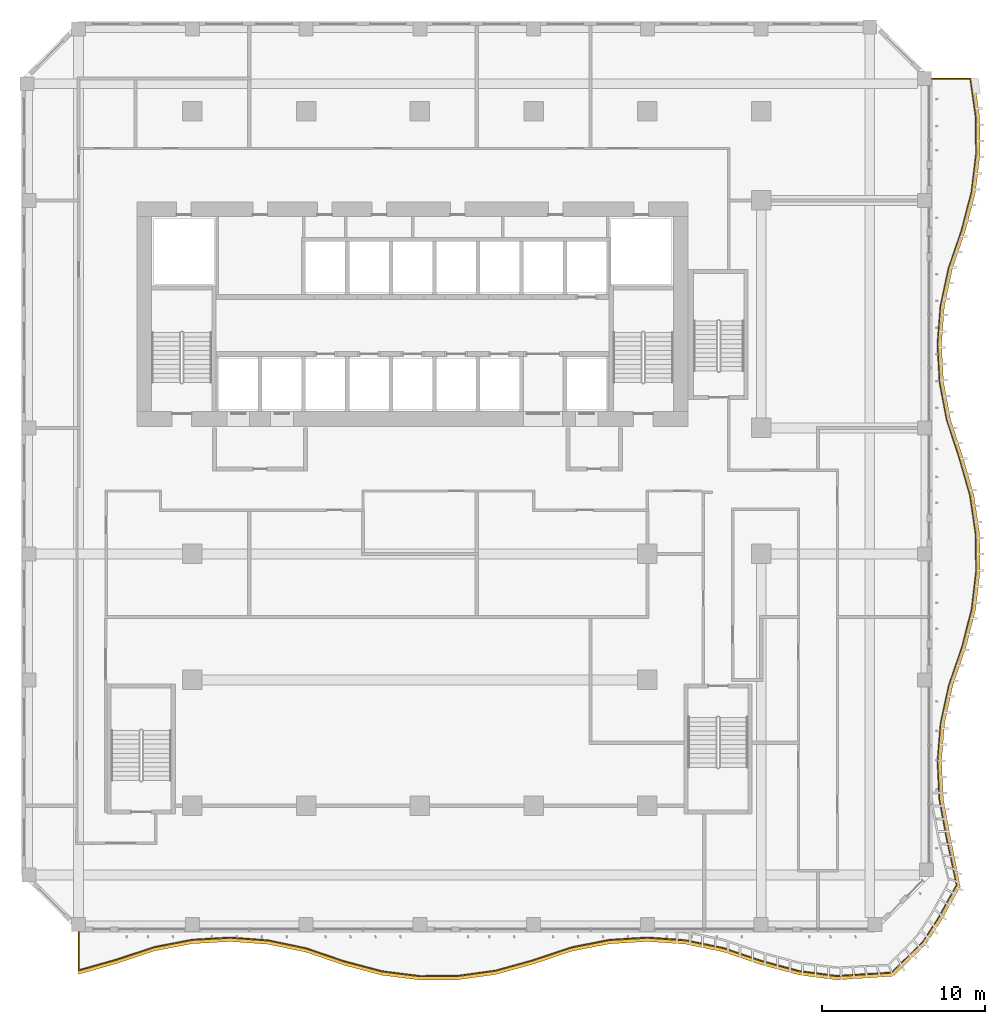
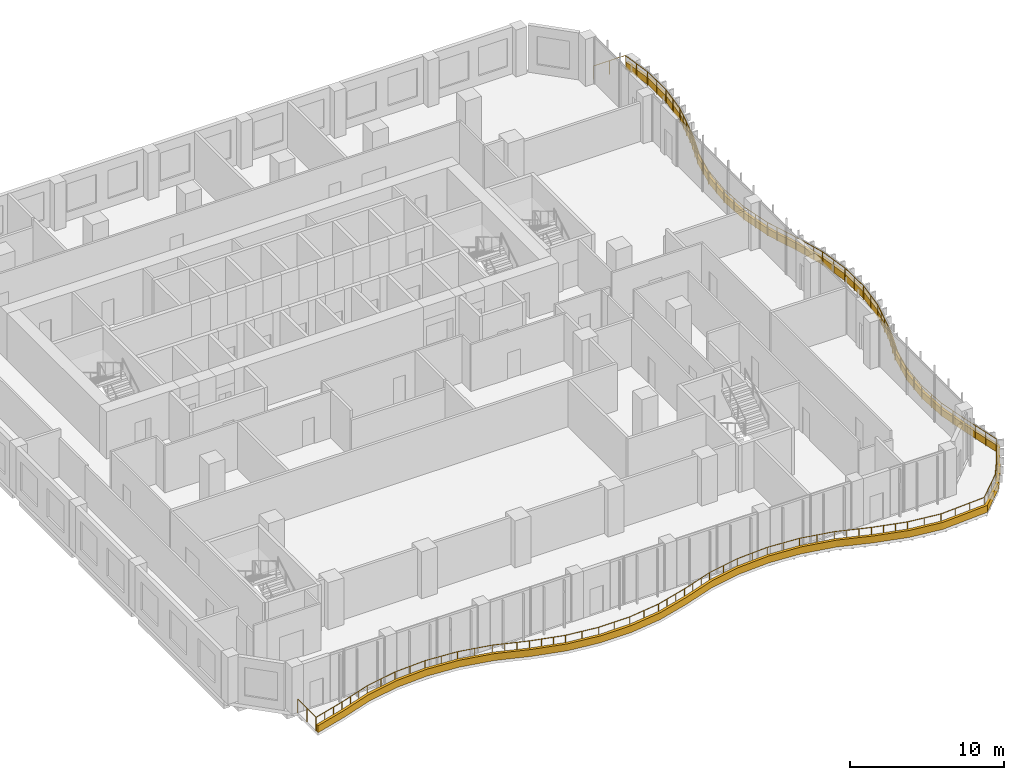
# One storey, part 21 of 27: 1 railing, 1 shading device.
"""IFC4 building model written with IfcOpenShell, lengths in metres."""

from ifc_helpers import new_model, si_unit, direction, frame, origin, origin_2d, place, context, subcontext, project, spatial, polyline, circle, outline, extrude, source, transform, mapped, material, layer, layer_set, type_object, element, save


model = new_model("IFC4")

# Units and contexts
model_context = context("Model", 3, precision=1e-05, world=origin(), true_north=direction((0.0, 1.0)))
body_context = subcontext(model_context, "Body", "Model", "MODEL_VIEW")
ifc_project = project(units=[si_unit("LENGTHUNIT", "METRE"), si_unit("AREAUNIT", "SQUARE_METRE"), si_unit("VOLUMEUNIT", "CUBIC_METRE"), si_unit("PLANEANGLEUNIT", "RADIAN"), si_unit("MASSUNIT", "GRAM", prefix="KILO")], contexts=[model_context])

# Site, building, storey
site_placement = place(None, origin())
site = spatial("IfcSite", under=ifc_project, at=site_placement, CompositionType="ELEMENT")
building_placement = place(site_placement, origin())
building = spatial("IfcBuilding", under=site, at=building_placement, Name="Kilnfold Tower and Market Hall", CompositionType="ELEMENT")
storey_placement = place(building_placement, frame((0.0, 0.0, 116.60009765625)))
storey = spatial("IfcBuildingStorey", under=building, at=storey_placement, Name="L27", CompositionType="ELEMENT", Elevation=116.60009765625)

# Railing
ifc_material_1 = material(Name="Stainless steel and laminated glass", Category="steel")
railing_type = type_object("IfcRailingType", Name="GUARD 1100", PredefinedType="GUARDRAIL", material=ifc_material_1)
railing_placement = place(storey_placement, frame((-19.5, -23.0, 0.0)))
element("IfcRailing", 1, at=railing_placement, inside=storey, type_object=railing_type, Name="Guard balcony L27", PredefinedType="GUARDRAIL", context=body_context, shape_type="SweptSolid", body=[
    extrude(circle(Radius=0.02490234375, at=origin_2d()), frame((0.0, 0.0, 1.0751953125), z_axis=(0.0, -1.0, 0.0), x_axis=(1.0, 0.0, 0.0)), (0.0, 0.0, 1.0), 2.3671875),
    extrude(circle(Radius=0.02490234375, at=origin_2d()), frame((0.0, -2.3671875, 1.0751953125), z_axis=(0.962306538751, 0.271967140438, 0.0), x_axis=(-0.271967140438, 0.962306538751, 0.0)), (0.0, 0.0, 1.0), 2.424560546875),
    extrude(circle(Radius=0.02490234375, at=origin_2d()), frame((2.333251953125, -1.707763671875, 1.0751953125), z_axis=(0.94906984056, 0.315065767325, 0.0), x_axis=(-0.315065767325, 0.94906984056, 0.0)), (0.0, 0.0, 1.0), 2.458740234375),
    extrude(circle(Radius=0.02490234375, at=origin_2d()), frame((4.666748046875, -0.93310546875, 1.0751953125), z_axis=(0.982061375955, 0.18856153865, 0.0), x_axis=(-0.18856153865, 0.982061375955, 0.0)), (0.0, 0.0, 1.0), 2.3759765625),
    extrude(circle(Radius=0.02490234375, at=origin_2d()), frame((7.0, -0.485107421875, 1.0751953125), z_axis=(0.99834213569, 0.057558492913, 0.0), x_axis=(-0.057558492913, 0.99834213569, 0.0)), (0.0, 0.0, 1.0), 2.337158203125),
    extrude(circle(Radius=0.02490234375, at=origin_2d()), frame((9.333251953125, -0.3505859375, 1.0751953125), z_axis=(0.997298415434, -0.073456589712, 0.0), x_axis=(0.073456589712, 0.997298415434, 0.0)), (0.0, 0.0, 1.0), 2.33984375),
    extrude(circle(Radius=0.02490234375, at=origin_2d()), frame((11.666748046875, -0.5224609375, 1.0751953125), z_axis=(0.978878895957, -0.204440962261, 0.0), x_axis=(0.204440962261, 0.978878895957, 0.0)), (0.0, 0.0, 1.0), 2.383544921875),
    extrude(circle(Radius=0.02490234375, at=origin_2d()), frame((14.0, -1.009765625, 1.0751953125), z_axis=(0.946391210256, -0.323022719248, 0.0), x_axis=(0.323022719248, 0.946391210256, 0.0)), (0.0, 0.0, 1.0), 2.46533203125),
    extrude(circle(Radius=0.02490234375, at=origin_2d()), frame((16.333251953125, -1.80615234375, 1.0751953125), z_axis=(0.966656645612, -0.25607602288, 0.0), x_axis=(0.25607602288, 0.966656645612, 0.0)), (0.0, 0.0, 1.0), 2.4140625),
    extrude(circle(Radius=0.02490234375, at=origin_2d()), frame((18.666748046875, -2.42431640625, 1.0751953125), z_axis=(0.992144748276, -0.125095157651, 0.0), x_axis=(0.125095157651, 0.992144748276, 0.0)), (0.0, 0.0, 1.0), 2.351806640625),
    extrude(circle(Radius=0.02490234375, at=origin_2d()), frame((21.0, -2.718505859375, 1.0751953125), z_axis=(0.999982214546, 0.005964108635, 0.0), x_axis=(-0.005964108635, 0.999982214546, 0.0)), (0.0, 0.0, 1.0), 2.333251953125),
    extrude(circle(Radius=0.02490234375, at=origin_2d()), frame((23.333251953125, -2.70458984375, 1.0751953125), z_axis=(0.990583845196, 0.136907434558, 0.0), x_axis=(-0.136907434558, 0.990583845196, 0.0)), (0.0, 0.0, 1.0), 2.355712890625),
    extrude(circle(Radius=0.02490234375, at=origin_2d()), frame((25.666748046875, -2.382080078125, 1.0751953125), z_axis=(0.963406621709, 0.268044177789, 0.0), x_axis=(-0.268044177789, 0.963406621709, 0.0)), (0.0, 0.0, 1.0), 2.421875),
    extrude(circle(Radius=0.02490234375, at=origin_2d()), frame((28.0, -1.73291015625, 1.0751953125), z_axis=(0.948285654044, 0.317418207313, 0.0), x_axis=(-0.317418207313, 0.948285654044, 0.0)), (0.0, 0.0, 1.0), 2.46044921875),
    extrude(circle(Radius=0.02490234375, at=origin_2d()), frame((30.333251953125, -0.951904296875, 1.0751953125), z_axis=(0.981277242242, 0.192600555184, 0.0), x_axis=(-0.192600555184, 0.981277242242, 0.0)), (0.0, 0.0, 1.0), 2.3779296875),
    extrude(circle(Radius=0.02490234375, at=origin_2d()), frame((32.666748046875, -0.493896484375, 1.0751953125), z_axis=(0.998106251115, 0.06151350653, 0.0), x_axis=(-0.06151350653, 0.998106251115, 0.0)), (0.0, 0.0, 1.0), 2.337646484375),
    extrude(circle(Radius=0.02490234375, at=origin_2d()), frame((35.0, -0.35009765625, 1.0751953125), z_axis=(0.997580659458, -0.069518543392, 0.0), x_axis=(0.069518543392, 0.997580659458, 0.0)), (0.0, 0.0, 1.0), 2.3388671875),
    extrude(circle(Radius=0.02490234375, at=origin_2d()), frame((37.333251953125, -0.5126953125, 1.0751953125), z_axis=(0.979715847017, -0.200391764063, 0.0), x_axis=(0.200391764063, 0.979715847017, 0.0)), (0.0, 0.0, 1.0), 2.3818359375),
    extrude(circle(Radius=0.02490234375, at=origin_2d()), frame((39.666748046875, -0.989990234375, 1.0751953125), z_axis=(0.94693508606, -0.321424863365, 0.0), x_axis=(0.321424863365, 0.94693508606, 0.0)), (0.0, 0.0, 1.0), 2.464111328125),
    extrude(circle(Radius=0.02490234375, at=origin_2d()), frame((42.0, -1.781982421875, 1.0751953125), z_axis=(0.965591366517, -0.260064055395, 0.0), x_axis=(0.260064055395, 0.965591366517, 0.0)), (0.0, 0.0, 1.0), 2.41650390625),
    extrude(circle(Radius=0.02490234375, at=origin_2d()), frame((44.333251953125, -2.410400390625, 1.0751953125), z_axis=(0.991636241788, -0.129064185476, 0.0), x_axis=(0.129064185476, 0.991636241788, 0.0)), (0.0, 0.0, 1.0), 2.353271484375),
    extrude(circle(Radius=0.02490234375, at=origin_2d()), frame((46.666748046875, -2.714111328125, 1.0751953125), z_axis=(0.998046947864, 0.062468310849, 0.0), x_axis=(-0.062468310849, 0.998046947864, 0.0)), (0.0, 0.0, 1.0), 3.376708984375),
    extrude(circle(Radius=0.02490234375, at=origin_2d()), frame((50.036865234375, -2.503173828125, 1.0751953125), z_axis=(0.711725581763, 0.702457611721, 0.0), x_axis=(-0.702457611721, 0.711725581763, 0.0)), (0.0, 0.0, 1.0), 2.68701171875),
    extrude(circle(Radius=0.02490234375, at=origin_2d()), frame((51.94921875, -0.61572265625, 1.0751953125), z_axis=(0.546015999668, 0.837774747833, 0.0), x_axis=(-0.837774747833, 0.546015999668, 0.0)), (0.0, 0.0, 1.0), 1.68603515625),
    extrude(circle(Radius=0.02490234375, at=origin_2d()), frame((52.869873046875, 0.796875, 1.0751953125), z_axis=(0.489186066845, 0.872179449428, 0.0), x_axis=(-0.872179449428, 0.489186066845, 0.0)), (0.0, 0.0, 1.0), 2.37255859375),
    extrude(circle(Radius=0.02490234375, at=origin_2d()), frame((54.030517578125, 2.8662109375, 1.0751953125), z_axis=(-0.208897070291, 0.977937632993, 0.0), x_axis=(-0.977937632993, -0.208897070291, 0.0)), (0.0, 0.0, 1.0), 3.033935546875),
    extrude(circle(Radius=0.02490234375, at=origin_2d()), frame((53.396728515625, 5.833251953125, 1.0751953125), z_axis=(-0.180596668273, 0.983557239518, 0.0), x_axis=(-0.983557239518, -0.180596668273, 0.0)), (0.0, 0.0, 1.0), 2.37255859375),
    extrude(circle(Radius=0.02490234375, at=origin_2d()), frame((52.96826171875, 8.166748046875, 1.0751953125), z_axis=(-0.049640514399, 0.998767149705, 0.0), x_axis=(-0.998767149705, -0.049640514399, 0.0)), (0.0, 0.0, 1.0), 2.336181640625),
    extrude(circle(Radius=0.02490234375, at=origin_2d()), frame((52.852294921875, 10.5, 1.0751953125), z_axis=(0.081345095449, 0.996685996413, 0.0), x_axis=(-0.996685996413, 0.081345095449, 0.0)), (0.0, 0.0, 1.0), 2.341064453125),
    extrude(circle(Radius=0.02490234375, at=origin_2d()), frame((53.042724609375, 12.833251953125, 1.0751953125), z_axis=(0.212348997132, 0.977193892437, 0.0), x_axis=(-0.977193892437, 0.212348997132, 0.0)), (0.0, 0.0, 1.0), 2.387939453125),
    extrude(circle(Radius=0.02490234375, at=origin_2d()), frame((53.5498046875, 15.166748046875, 1.0751953125), z_axis=(0.325679680723, 0.945480166669, 0.0), x_axis=(-0.945480166669, 0.325679680723, 0.0)), (0.0, 0.0, 1.0), 2.4677734375),
    extrude(circle(Radius=0.02490234375, at=origin_2d()), frame((54.353515625, 17.5, 1.0751953125), z_axis=(0.248136348904, 0.968725117024, 0.0), x_axis=(-0.968725117024, 0.248136348904, 0.0)), (0.0, 0.0, 1.0), 2.40869140625),
    extrude(circle(Radius=0.02490234375, at=origin_2d()), frame((54.951171875, 19.833251953125, 1.0751953125), z_axis=(0.117100473128, 0.993120072898, 0.0), x_axis=(-0.993120072898, 0.117100473128, 0.0)), (0.0, 0.0, 1.0), 2.349609375),
    extrude(circle(Radius=0.02490234375, at=origin_2d()), frame((55.226318359375, 22.166748046875, 1.0751953125), z_axis=(-0.013915153592, 0.999903179563, 0.0), x_axis=(-0.999903179563, -0.013915153592, 0.0)), (0.0, 0.0, 1.0), 2.33349609375),
    extrude(circle(Radius=0.02490234375, at=origin_2d()), frame((55.19384765625, 24.5, 1.0751953125), z_axis=(-0.144841207811, 0.989454912828, 0.0), x_axis=(-0.989454912828, -0.144841207811, 0.0)), (0.0, 0.0, 1.0), 2.358154296875),
    extrude(circle(Radius=0.02490234375, at=origin_2d()), frame((54.852294921875, 26.833251953125, 1.0751953125), z_axis=(-0.27594283235, 0.961174049418, 0.0), x_axis=(-0.961174049418, -0.27594283235, 0.0)), (0.0, 0.0, 1.0), 2.427734375),
    extrude(circle(Radius=0.02490234375, at=origin_2d()), frame((54.182373046875, 29.166748046875, 1.0751953125), z_axis=(-0.312498011214, 0.949918413858, 0.0), x_axis=(-0.949918413858, -0.312498011214, 0.0)), (0.0, 0.0, 1.0), 2.456298828125),
    extrude(circle(Radius=0.02490234375, at=origin_2d()), frame((53.414794921875, 31.5, 1.0751953125), z_axis=(-0.184592769099, 0.982815094306, 0.0), x_axis=(-0.982815094306, -0.184592769099, 0.0)), (0.0, 0.0, 1.0), 2.3740234375),
    extrude(circle(Radius=0.02490234375, at=origin_2d()), frame((52.9765625, 33.833251953125, 1.0751953125), z_axis=(-0.053595175618, 0.998562745725, 0.0), x_axis=(-0.998562745725, -0.053595175618, 0.0)), (0.0, 0.0, 1.0), 2.3369140625),
    extrude(circle(Radius=0.02490234375, at=origin_2d()), frame((52.851318359375, 36.166748046875, 1.0751953125), z_axis=(0.077406478613, 0.996999617386, 0.0), x_axis=(-0.996999617386, 0.077406478613, 0.0)), (0.0, 0.0, 1.0), 2.34033203125),
    extrude(circle(Radius=0.02490234375, at=origin_2d()), frame((53.032470703125, 38.5, 1.0751953125), z_axis=(0.20845967069, 0.978030963567, 0.0), x_axis=(-0.978030963567, 0.20845967069, 0.0)), (0.0, 0.0, 1.0), 2.3857421875),
    extrude(circle(Radius=0.02490234375, at=origin_2d()), frame((53.52978515625, 40.833251953125, 1.0751953125), z_axis=(0.324410348891, 0.945916447437, 0.0), x_axis=(-0.945916447437, 0.324410348891, 0.0)), (0.0, 0.0, 1.0), 2.466796875),
    extrude(circle(Radius=0.02490234375, at=origin_2d()), frame((54.330078125, 43.166748046875, 1.0751953125), z_axis=(0.25212510937, 0.967694646686, 0.0), x_axis=(-0.967694646686, 0.25212510937, 0.0)), (0.0, 0.0, 1.0), 2.4111328125),
    extrude(circle(Radius=0.02490234375, at=origin_2d()), frame((54.93798828125, 45.5, 1.0751953125), z_axis=(0.121004451058, 0.9926519646, 0.0), x_axis=(-0.9926519646, 0.121004451058, 0.0)), (0.0, 0.0, 1.0), 2.3505859375),
    extrude(circle(Radius=0.02490234375, at=origin_2d()), frame((55.222412109375, 47.833251953125, 1.0751953125), z_axis=(-0.009834217873, 0.99995164291, 0.0), x_axis=(-0.99995164291, -0.009834217873, 0.0)), (0.0, 0.0, 1.0), 2.33349609375),
    extrude(circle(Radius=0.02490234375, at=origin_2d()), frame((55.199462890625, 50.166748046875, 1.0751953125), z_axis=(-0.140986263734, 0.990011552174, 0.0), x_axis=(-0.990011552174, -0.140986263734, 0.0)), (0.0, 0.0, 1.0), 2.356689453125),
    extrude(circle(Radius=0.02490234375, at=origin_2d()), frame((54.8671875, 52.5, 1.0751953125), z_axis=(-1.0, 0.0, 0.0), x_axis=(0.0, -1.0, 0.0)), (0.0, 0.0, 1.0), 2.3671875),
    extrude(circle(Radius=0.02490234375, at=origin_2d()), origin(), (0.0, 0.0, 1.0), 1.050048828125),
    extrude(circle(Radius=0.02490234375, at=origin_2d()), frame((0.0, -1.18359375, 0.0)), (0.0, 0.0, 1.0), 1.050048828125),
    extrude(circle(Radius=0.02490234375, at=origin_2d()), frame((0.0, -2.3671875, 0.0)), (0.0, 0.0, 1.0), 1.050048828125),
    extrude(circle(Radius=0.02490234375, at=origin_2d()), frame((0.77783203125, -2.1474609375, 0.0)), (0.0, 0.0, 1.0), 1.050048828125),
    extrude(circle(Radius=0.02490234375, at=origin_2d()), frame((1.555419921875, -1.927490234375, 0.0)), (0.0, 0.0, 1.0), 1.050048828125),
    extrude(circle(Radius=0.02490234375, at=origin_2d()), frame((2.333251953125, -1.707763671875, 0.0)), (0.0, 0.0, 1.0), 1.050048828125),
    extrude(circle(Radius=0.02490234375, at=origin_2d()), frame((3.111083984375, -1.449462890625, 0.0)), (0.0, 0.0, 1.0), 1.050048828125),
    extrude(circle(Radius=0.02490234375, at=origin_2d()), frame((3.888916015625, -1.19140625, 0.0)), (0.0, 0.0, 1.0), 1.050048828125),
    extrude(circle(Radius=0.02490234375, at=origin_2d()), frame((4.666748046875, -0.93310546875, 0.0)), (0.0, 0.0, 1.0), 1.050048828125),
    extrude(circle(Radius=0.02490234375, at=origin_2d()), frame((5.83349609375, -0.708984375, 0.0)), (0.0, 0.0, 1.0), 1.050048828125),
    extrude(circle(Radius=0.02490234375, at=origin_2d()), frame((7.0, -0.485107421875, 0.0)), (0.0, 0.0, 1.0), 1.050048828125),
    extrude(circle(Radius=0.02490234375, at=origin_2d()), frame((8.16650390625, -0.41796875, 0.0)), (0.0, 0.0, 1.0), 1.050048828125),
    extrude(circle(Radius=0.02490234375, at=origin_2d()), frame((9.333251953125, -0.3505859375, 0.0)), (0.0, 0.0, 1.0), 1.050048828125),
    extrude(circle(Radius=0.02490234375, at=origin_2d()), frame((10.5, -0.4365234375, 0.0)), (0.0, 0.0, 1.0), 1.050048828125),
    extrude(circle(Radius=0.02490234375, at=origin_2d()), frame((11.666748046875, -0.5224609375, 0.0)), (0.0, 0.0, 1.0), 1.050048828125),
    extrude(circle(Radius=0.02490234375, at=origin_2d()), frame((12.83349609375, -0.76611328125, 0.0)), (0.0, 0.0, 1.0), 1.050048828125),
    extrude(circle(Radius=0.02490234375, at=origin_2d()), frame((14.0, -1.009765625, 0.0)), (0.0, 0.0, 1.0), 1.050048828125),
    extrude(circle(Radius=0.02490234375, at=origin_2d()), frame((14.77783203125, -1.275146484375, 0.0)), (0.0, 0.0, 1.0), 1.050048828125),
    extrude(circle(Radius=0.02490234375, at=origin_2d()), frame((15.555419921875, -1.540771484375, 0.0)), (0.0, 0.0, 1.0), 1.050048828125),
    extrude(circle(Radius=0.02490234375, at=origin_2d()), frame((16.333251953125, -1.80615234375, 0.0)), (0.0, 0.0, 1.0), 1.050048828125),
    extrude(circle(Radius=0.02490234375, at=origin_2d()), frame((17.111083984375, -2.01220703125, 0.0)), (0.0, 0.0, 1.0), 1.050048828125),
    extrude(circle(Radius=0.02490234375, at=origin_2d()), frame((17.888916015625, -2.21826171875, 0.0)), (0.0, 0.0, 1.0), 1.050048828125),
    extrude(circle(Radius=0.02490234375, at=origin_2d()), frame((18.666748046875, -2.42431640625, 0.0)), (0.0, 0.0, 1.0), 1.050048828125),
    extrude(circle(Radius=0.02490234375, at=origin_2d()), frame((19.83349609375, -2.5712890625, 0.0)), (0.0, 0.0, 1.0), 1.050048828125),
    extrude(circle(Radius=0.02490234375, at=origin_2d()), frame((21.0, -2.718505859375, 0.0)), (0.0, 0.0, 1.0), 1.050048828125),
    extrude(circle(Radius=0.02490234375, at=origin_2d()), frame((22.16650390625, -2.71142578125, 0.0)), (0.0, 0.0, 1.0), 1.050048828125),
    extrude(circle(Radius=0.02490234375, at=origin_2d()), frame((23.333251953125, -2.70458984375, 0.0)), (0.0, 0.0, 1.0), 1.050048828125),
    extrude(circle(Radius=0.02490234375, at=origin_2d()), frame((24.5, -2.54345703125, 0.0)), (0.0, 0.0, 1.0), 1.050048828125),
    extrude(circle(Radius=0.02490234375, at=origin_2d()), frame((25.666748046875, -2.382080078125, 0.0)), (0.0, 0.0, 1.0), 1.050048828125),
    extrude(circle(Radius=0.02490234375, at=origin_2d()), frame((26.444580078125, -2.165771484375, 0.0)), (0.0, 0.0, 1.0), 1.050048828125),
    extrude(circle(Radius=0.02490234375, at=origin_2d()), frame((27.22216796875, -1.94921875, 0.0)), (0.0, 0.0, 1.0), 1.050048828125),
    extrude(circle(Radius=0.02490234375, at=origin_2d()), frame((28.0, -1.73291015625, 0.0)), (0.0, 0.0, 1.0), 1.050048828125),
    extrude(circle(Radius=0.02490234375, at=origin_2d()), frame((28.77783203125, -1.47265625, 0.0)), (0.0, 0.0, 1.0), 1.050048828125),
    extrude(circle(Radius=0.02490234375, at=origin_2d()), frame((29.555419921875, -1.212158203125, 0.0)), (0.0, 0.0, 1.0), 1.050048828125),
    extrude(circle(Radius=0.02490234375, at=origin_2d()), frame((30.333251953125, -0.951904296875, 0.0)), (0.0, 0.0, 1.0), 1.050048828125),
    extrude(circle(Radius=0.02490234375, at=origin_2d()), frame((31.5, -0.722900390625, 0.0)), (0.0, 0.0, 1.0), 1.050048828125),
    extrude(circle(Radius=0.02490234375, at=origin_2d()), frame((32.666748046875, -0.493896484375, 0.0)), (0.0, 0.0, 1.0), 1.050048828125),
    extrude(circle(Radius=0.02490234375, at=origin_2d()), frame((33.83349609375, -0.421875, 0.0)), (0.0, 0.0, 1.0), 1.050048828125),
    extrude(circle(Radius=0.02490234375, at=origin_2d()), frame((35.0, -0.35009765625, 0.0)), (0.0, 0.0, 1.0), 1.050048828125),
    extrude(circle(Radius=0.02490234375, at=origin_2d()), frame((36.16650390625, -0.431396484375, 0.0)), (0.0, 0.0, 1.0), 1.050048828125),
    extrude(circle(Radius=0.02490234375, at=origin_2d()), frame((37.333251953125, -0.5126953125, 0.0)), (0.0, 0.0, 1.0), 1.050048828125),
    extrude(circle(Radius=0.02490234375, at=origin_2d()), frame((38.5, -0.75146484375, 0.0)), (0.0, 0.0, 1.0), 1.050048828125),
    extrude(circle(Radius=0.02490234375, at=origin_2d()), frame((39.666748046875, -0.989990234375, 0.0)), (0.0, 0.0, 1.0), 1.050048828125),
    extrude(circle(Radius=0.02490234375, at=origin_2d()), frame((40.444580078125, -1.25390625, 0.0)), (0.0, 0.0, 1.0), 1.050048828125),
    extrude(circle(Radius=0.02490234375, at=origin_2d()), frame((41.22216796875, -1.51806640625, 0.0)), (0.0, 0.0, 1.0), 1.050048828125),
    extrude(circle(Radius=0.02490234375, at=origin_2d()), frame((42.0, -1.781982421875, 0.0)), (0.0, 0.0, 1.0), 1.050048828125),
    extrude(circle(Radius=0.02490234375, at=origin_2d()), frame((42.77783203125, -1.991455078125, 0.0)), (0.0, 0.0, 1.0), 1.050048828125),
    extrude(circle(Radius=0.02490234375, at=origin_2d()), frame((43.555419921875, -2.200927734375, 0.0)), (0.0, 0.0, 1.0), 1.050048828125),
    extrude(circle(Radius=0.02490234375, at=origin_2d()), frame((44.333251953125, -2.410400390625, 0.0)), (0.0, 0.0, 1.0), 1.050048828125),
    extrude(circle(Radius=0.02490234375, at=origin_2d()), frame((45.5, -2.562255859375, 0.0)), (0.0, 0.0, 1.0), 1.050048828125),
    extrude(circle(Radius=0.02490234375, at=origin_2d()), frame((46.666748046875, -2.714111328125, 0.0)), (0.0, 0.0, 1.0), 1.050048828125),
    extrude(circle(Radius=0.02490234375, at=origin_2d()), frame((47.7900390625, -2.643798828125, 0.0)), (0.0, 0.0, 1.0), 1.050048828125),
    extrude(circle(Radius=0.02490234375, at=origin_2d()), frame((48.91357421875, -2.573486328125, 0.0)), (0.0, 0.0, 1.0), 1.050048828125),
    extrude(circle(Radius=0.02490234375, at=origin_2d()), frame((50.036865234375, -2.503173828125, 0.0)), (0.0, 0.0, 1.0), 1.050048828125),
    extrude(circle(Radius=0.02490234375, at=origin_2d()), frame((50.67431640625, -1.8740234375, 0.0)), (0.0, 0.0, 1.0), 1.050048828125),
    extrude(circle(Radius=0.02490234375, at=origin_2d()), frame((51.311767578125, -1.244873046875, 0.0)), (0.0, 0.0, 1.0), 1.050048828125),
    extrude(circle(Radius=0.02490234375, at=origin_2d()), frame((51.94921875, -0.61572265625, 0.0)), (0.0, 0.0, 1.0), 1.050048828125),
    extrude(circle(Radius=0.02490234375, at=origin_2d()), frame((52.40966796875, 0.090576171875, 0.0)), (0.0, 0.0, 1.0), 1.050048828125),
    extrude(circle(Radius=0.02490234375, at=origin_2d()), frame((52.869873046875, 0.796875, 0.0)), (0.0, 0.0, 1.0), 1.050048828125),
    extrude(circle(Radius=0.02490234375, at=origin_2d()), frame((53.4501953125, 1.83154296875, 0.0)), (0.0, 0.0, 1.0), 1.050048828125),
    extrude(circle(Radius=0.02490234375, at=origin_2d()), frame((54.030517578125, 2.8662109375, 0.0)), (0.0, 0.0, 1.0), 1.050048828125),
    extrude(circle(Radius=0.02490234375, at=origin_2d()), frame((53.8193359375, 3.855224609375, 0.0)), (0.0, 0.0, 1.0), 1.050048828125),
    extrude(circle(Radius=0.02490234375, at=origin_2d()), frame((53.60791015625, 4.84423828125, 0.0)), (0.0, 0.0, 1.0), 1.050048828125),
    extrude(circle(Radius=0.02490234375, at=origin_2d()), frame((53.396728515625, 5.833251953125, 0.0)), (0.0, 0.0, 1.0), 1.050048828125),
    extrude(circle(Radius=0.02490234375, at=origin_2d()), frame((53.1826171875, 7.0, 0.0)), (0.0, 0.0, 1.0), 1.050048828125),
    extrude(circle(Radius=0.02490234375, at=origin_2d()), frame((52.96826171875, 8.166748046875, 0.0)), (0.0, 0.0, 1.0), 1.050048828125),
    extrude(circle(Radius=0.02490234375, at=origin_2d()), frame((52.91015625, 9.33349609375, 0.0)), (0.0, 0.0, 1.0), 1.050048828125),
    extrude(circle(Radius=0.02490234375, at=origin_2d()), frame((52.852294921875, 10.5, 0.0)), (0.0, 0.0, 1.0), 1.050048828125),
    extrude(circle(Radius=0.02490234375, at=origin_2d()), frame((52.947509765625, 11.66650390625, 0.0)), (0.0, 0.0, 1.0), 1.050048828125),
    extrude(circle(Radius=0.02490234375, at=origin_2d()), frame((53.042724609375, 12.833251953125, 0.0)), (0.0, 0.0, 1.0), 1.050048828125),
    extrude(circle(Radius=0.02490234375, at=origin_2d()), frame((53.29638671875, 14.0, 0.0)), (0.0, 0.0, 1.0), 1.050048828125),
    extrude(circle(Radius=0.02490234375, at=origin_2d()), frame((53.5498046875, 15.166748046875, 0.0)), (0.0, 0.0, 1.0), 1.050048828125),
    extrude(circle(Radius=0.02490234375, at=origin_2d()), frame((53.817626953125, 15.944580078125, 0.0)), (0.0, 0.0, 1.0), 1.050048828125),
    extrude(circle(Radius=0.02490234375, at=origin_2d()), frame((54.085693359375, 16.72216796875, 0.0)), (0.0, 0.0, 1.0), 1.050048828125),
    extrude(circle(Radius=0.02490234375, at=origin_2d()), frame((54.353515625, 17.5, 0.0)), (0.0, 0.0, 1.0), 1.050048828125),
    extrude(circle(Radius=0.02490234375, at=origin_2d()), frame((54.552734375, 18.27783203125, 0.0)), (0.0, 0.0, 1.0), 1.050048828125),
    extrude(circle(Radius=0.02490234375, at=origin_2d()), frame((54.751953125, 19.055419921875, 0.0)), (0.0, 0.0, 1.0), 1.050048828125),
    extrude(circle(Radius=0.02490234375, at=origin_2d()), frame((54.951171875, 19.833251953125, 0.0)), (0.0, 0.0, 1.0), 1.050048828125),
    extrude(circle(Radius=0.02490234375, at=origin_2d()), frame((55.0888671875, 21.0, 0.0)), (0.0, 0.0, 1.0), 1.050048828125),
    extrude(circle(Radius=0.02490234375, at=origin_2d()), frame((55.226318359375, 22.166748046875, 0.0)), (0.0, 0.0, 1.0), 1.050048828125),
    extrude(circle(Radius=0.02490234375, at=origin_2d()), frame((55.2099609375, 23.33349609375, 0.0)), (0.0, 0.0, 1.0), 1.050048828125),
    extrude(circle(Radius=0.02490234375, at=origin_2d()), frame((55.19384765625, 24.5, 0.0)), (0.0, 0.0, 1.0), 1.050048828125),
    extrude(circle(Radius=0.02490234375, at=origin_2d()), frame((55.02294921875, 25.66650390625, 0.0)), (0.0, 0.0, 1.0), 1.050048828125),
    extrude(circle(Radius=0.02490234375, at=origin_2d()), frame((54.852294921875, 26.833251953125, 0.0)), (0.0, 0.0, 1.0), 1.050048828125),
    extrude(circle(Radius=0.02490234375, at=origin_2d()), frame((54.62890625, 27.611083984375, 0.0)), (0.0, 0.0, 1.0), 1.050048828125),
    extrude(circle(Radius=0.02490234375, at=origin_2d()), frame((54.40576171875, 28.388916015625, 0.0)), (0.0, 0.0, 1.0), 1.050048828125),
    extrude(circle(Radius=0.02490234375, at=origin_2d()), frame((54.182373046875, 29.166748046875, 0.0)), (0.0, 0.0, 1.0), 1.050048828125),
    extrude(circle(Radius=0.02490234375, at=origin_2d()), frame((53.926513671875, 29.944580078125, 0.0)), (0.0, 0.0, 1.0), 1.050048828125),
    extrude(circle(Radius=0.02490234375, at=origin_2d()), frame((53.670654296875, 30.72216796875, 0.0)), (0.0, 0.0, 1.0), 1.050048828125),
    extrude(circle(Radius=0.02490234375, at=origin_2d()), frame((53.414794921875, 31.5, 0.0)), (0.0, 0.0, 1.0), 1.050048828125),
    extrude(circle(Radius=0.02490234375, at=origin_2d()), frame((53.19580078125, 32.66650390625, 0.0)), (0.0, 0.0, 1.0), 1.050048828125),
    extrude(circle(Radius=0.02490234375, at=origin_2d()), frame((52.9765625, 33.833251953125, 0.0)), (0.0, 0.0, 1.0), 1.050048828125),
    extrude(circle(Radius=0.02490234375, at=origin_2d()), frame((52.9140625, 35.0, 0.0)), (0.0, 0.0, 1.0), 1.050048828125),
    extrude(circle(Radius=0.02490234375, at=origin_2d()), frame((52.851318359375, 36.166748046875, 0.0)), (0.0, 0.0, 1.0), 1.050048828125),
    extrude(circle(Radius=0.02490234375, at=origin_2d()), frame((52.94189453125, 37.33349609375, 0.0)), (0.0, 0.0, 1.0), 1.050048828125),
    extrude(circle(Radius=0.02490234375, at=origin_2d()), frame((53.032470703125, 38.5, 0.0)), (0.0, 0.0, 1.0), 1.050048828125),
    extrude(circle(Radius=0.02490234375, at=origin_2d()), frame((53.28125, 39.66650390625, 0.0)), (0.0, 0.0, 1.0), 1.050048828125),
    extrude(circle(Radius=0.02490234375, at=origin_2d()), frame((53.52978515625, 40.833251953125, 0.0)), (0.0, 0.0, 1.0), 1.050048828125),
    extrude(circle(Radius=0.02490234375, at=origin_2d()), frame((53.796630859375, 41.611083984375, 0.0)), (0.0, 0.0, 1.0), 1.050048828125),
    extrude(circle(Radius=0.02490234375, at=origin_2d()), frame((54.063232421875, 42.388916015625, 0.0)), (0.0, 0.0, 1.0), 1.050048828125),
    extrude(circle(Radius=0.02490234375, at=origin_2d()), frame((54.330078125, 43.166748046875, 0.0)), (0.0, 0.0, 1.0), 1.050048828125),
    extrude(circle(Radius=0.02490234375, at=origin_2d()), frame((54.53271484375, 43.944580078125, 0.0)), (0.0, 0.0, 1.0), 1.050048828125),
    extrude(circle(Radius=0.02490234375, at=origin_2d()), frame((54.7353515625, 44.72216796875, 0.0)), (0.0, 0.0, 1.0), 1.050048828125),
    extrude(circle(Radius=0.02490234375, at=origin_2d()), frame((54.93798828125, 45.5, 0.0)), (0.0, 0.0, 1.0), 1.050048828125),
    extrude(circle(Radius=0.02490234375, at=origin_2d()), frame((55.080078125, 46.66650390625, 0.0)), (0.0, 0.0, 1.0), 1.050048828125),
    extrude(circle(Radius=0.02490234375, at=origin_2d()), frame((55.222412109375, 47.833251953125, 0.0)), (0.0, 0.0, 1.0), 1.050048828125),
    extrude(circle(Radius=0.02490234375, at=origin_2d()), frame((55.2109375, 49.0, 0.0)), (0.0, 0.0, 1.0), 1.050048828125),
    extrude(circle(Radius=0.02490234375, at=origin_2d()), frame((55.199462890625, 50.166748046875, 0.0)), (0.0, 0.0, 1.0), 1.050048828125),
    extrude(circle(Radius=0.02490234375, at=origin_2d()), frame((55.033203125, 51.33349609375, 0.0)), (0.0, 0.0, 1.0), 1.050048828125),
    extrude(circle(Radius=0.02490234375, at=origin_2d()), frame((54.8671875, 52.5, 0.0)), (0.0, 0.0, 1.0), 1.050048828125),
    extrude(circle(Radius=0.02490234375, at=origin_2d()), frame((53.68359375, 52.5, 0.0)), (0.0, 0.0, 1.0), 1.050048828125),
    extrude(circle(Radius=0.02490234375, at=origin_2d()), frame((52.5, 52.5, 0.0)), (0.0, 0.0, 1.0), 1.050048828125),
])

# Shading device
ifc_material_2 = material(Name="Precast concrete C50/60", Category="concrete")
ifc_layer = layer(ifc_material_2, 0.550048828125)
ifc_layer_set = layer_set([ifc_layer], Name="Precast concrete C50/60")
shading_device_type = type_object("IfcShadingDeviceType", Name="BALCONY UPSTAND 550", PredefinedType="USERDEFINED", material=ifc_layer_set)
shared_shape = source(origin(), body_context, "Body", "SweptSolid", [
    extrude(outline(polyline([(-19.5, -25.6171875), (-17.166748046875, -24.957763671875), (-14.833251953125, -24.18310546875), (-12.5, -23.735107421875), (-10.166748046875, -23.6005859375), (-7.833251953125, -23.7724609375), (-5.5, -24.259765625), (-3.166748046875, -25.05615234375), (-0.833251953125, -25.67431640625), (1.5, -25.968505859375), (3.833251953125, -25.95458984375), (6.166748046875, -25.632080078125), (8.5, -24.98291015625), (10.833251953125, -24.201904296875), (13.166748046875, -23.743896484375), (15.5, -23.60009765625), (17.833251953125, -23.7626953125), (20.166748046875, -24.239990234375), (22.5, -25.031982421875), (24.833251953125, -25.660400390625), (27.166748046875, -25.964111328125), (30.632568359375, -25.734130859375), (32.6259765625, -23.79248046875), (33.546630859375, -22.3798828125), (34.761474609375, -20.2294921875), (34.146728515625, -17.166748046875), (33.71826171875, -14.833251953125), (33.602294921875, -12.5), (33.792724609375, -10.166748046875), (34.2998046875, -7.833251953125), (35.103515625, -5.5), (35.701171875, -3.166748046875), (35.976318359375, -0.833251953125), (35.94384765625, 1.5), (35.602294921875, 3.833251953125), (34.932373046875, 6.166748046875), (34.164794921875, 8.5), (33.7265625, 10.833251953125), (33.601318359375, 13.166748046875), (33.782470703125, 15.5), (34.27978515625, 17.833251953125), (35.080078125, 20.166748046875), (35.68798828125, 22.5), (35.972412109375, 24.833251953125), (35.949462890625, 27.166748046875), (35.6171875, 29.5), (35.417236328125, 29.5), (35.74951171875, 27.166748046875), (35.7724609375, 24.833251953125), (35.48779296875, 22.5), (34.880126953125, 20.166748046875), (34.07958984375, 17.833251953125), (33.58251953125, 15.5), (33.4013671875, 13.166748046875), (33.526611328125, 10.833251953125), (33.964599609375, 8.5), (34.732421875, 6.166748046875), (35.402099609375, 3.833251953125), (35.743896484375, 1.5), (35.7763671875, -0.833251953125), (35.501220703125, -3.166748046875), (34.903564453125, -5.5), (34.099853515625, -7.833251953125), (33.5927734375, -10.166748046875), (33.402099609375, -12.5), (33.518310546875, -14.833251953125), (33.94677734375, -17.166748046875), (34.57666015625, -20.153076171875), (33.4052734375, -22.238525390625), (32.484619140625, -23.651123046875), (30.555908203125, -25.54931640625), (27.166748046875, -25.76416015625), (24.833251953125, -25.46044921875), (22.5, -24.83203125), (20.166748046875, -24.0400390625), (17.833251953125, -23.5625), (15.5, -23.400146484375), (13.166748046875, -23.5439453125), (10.833251953125, -24.001708984375), (8.5, -24.782958984375), (6.166748046875, -25.431884765625), (3.833251953125, -25.754638671875), (1.5, -25.7685546875), (-0.833251953125, -25.474365234375), (-3.166748046875, -24.856201171875), (-5.5, -24.059814453125), (-7.833251953125, -23.572509765625), (-10.166748046875, -23.400634765625), (-12.5, -23.53515625), (-14.833251953125, -23.983154296875), (-17.166748046875, -24.7578125), (-19.5, -25.417236328125), (-19.5, -25.6171875)])), origin(), (0.0, 0.0, 1.0), 0.5498046875),
])
shading_device_placement = place(storey_placement, origin())
element("IfcShadingDevice", 2, at=shading_device_placement, inside=storey, type_object=shading_device_type, Name="Balcony fascia L27", ObjectType="FASCIA", PredefinedType="USERDEFINED", context=body_context, shape_type="MappedRepresentation", body=[
    mapped(shared_shape, transform((0.0, 0.0, 0.0))),
])

save(model, "model.ifc")
